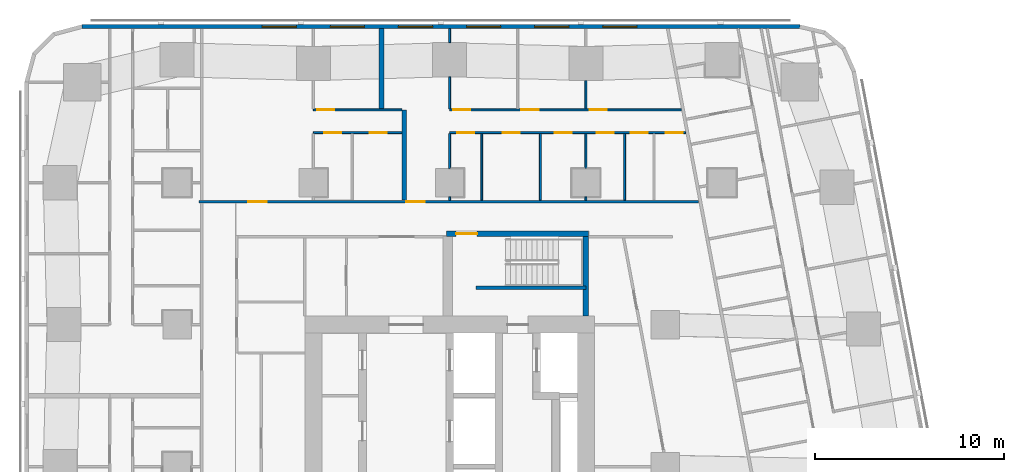
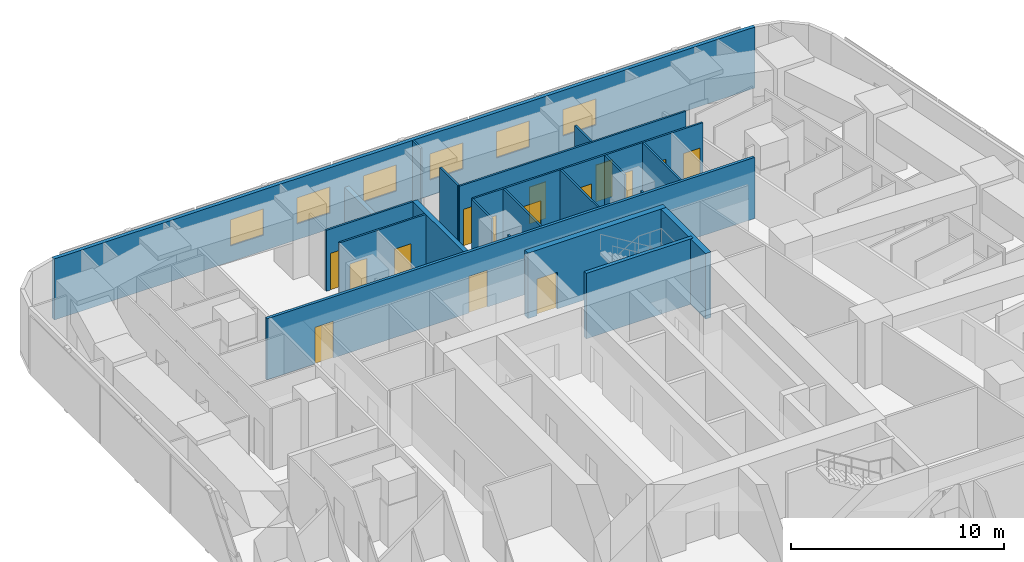
# One storey, part 10 of 15: 21 walls, 15 doors, 6 windows, 21 openings.
"""IFC4 building model written with IfcOpenShell, lengths in metres."""

import ifcopenshell
import ifcopenshell.guid

model = None  # the IFC model being written
_history = None  # IfcOwnerHistory: only IFC2X3 demands one
_inside = {}  # id of a spatial element -> (the spatial element, [elements in it])
_under = {}  # id of a project, library or spatial element -> (it, [spatial elements below it])
_declared = {}  # id of a project -> (the project, [libraries it declares])
_typed = {}  # id of a type object -> (the type object, [elements of that type])
_made_of = {}  # id of a material, layer set ... -> (it, [elements and type objects made of it])


def new_model(schema):
    """Start an empty IFC model of exactly this schema.

    Asked for "IFC4X3", IfcOpenShell would pick the latest addendum, in which some entities
    have other attributes; the version numbers below select the first issue.
    IFC2X3 requires an IfcOwnerHistory on every rooted entity: one is made here for all.
    """
    global model, _history
    if schema == "IFC4X3":
        model = ifcopenshell.file(schema_version=(4, 3, 0, 0))
    else:
        model = ifcopenshell.file(schema=schema)
    _inside.clear()
    _under.clear()
    _declared.clear()
    _typed.clear()
    _made_of.clear()
    _history = None
    if model.schema == "IFC2X3":
        org = make("IfcOrganization", Name="unknown")
        user = make(
            "IfcPersonAndOrganization",
            ThePerson=make("IfcPerson", FamilyName="unknown"),
            TheOrganization=org,
        )
        app = make(
            "IfcApplication",
            ApplicationDeveloper=org,
            Version="unknown",
            ApplicationFullName="unknown",
            ApplicationIdentifier="unknown",
        )
        _history = make(
            "IfcOwnerHistory",
            OwningUser=user,
            OwningApplication=app,
            ChangeAction="ADDED",
            CreationDate=0,
        )
    return model


def make(cls, **values):
    """One entity of the class cls with the attributes given. An attribute that is None is left unset."""
    return model.create_entity(
        cls, **{name: value for name, value in values.items() if value is not None}
    )


def rooted(cls, **values):
    """An entity with a GlobalId (a new one), such as an element, a storey or a relation."""
    return make(cls, GlobalId=ifcopenshell.guid.new(), OwnerHistory=_history, **values)


def si_unit(unit_type, name, prefix=None):
    """IfcSIUnit, for example si_unit("LENGTHUNIT", "METRE", prefix="MILLI")."""
    return make("IfcSIUnit", UnitType=unit_type, Prefix=prefix, Name=name)


def assignment(units):
    """IfcUnitAssignment: the units of a project."""
    return None if units is None else make("IfcUnitAssignment", Units=units)


def point(xyz):
    """IfcCartesianPoint."""
    return None if xyz is None else make("IfcCartesianPoint", Coordinates=xyz)


def direction(xyz):
    """IfcDirection."""
    return None if xyz is None else make("IfcDirection", DirectionRatios=xyz)


def frame(location, z_axis=None, x_axis=None):
    """IfcAxis2Placement3D, a coordinate frame: its origin and axes. An axis left out is left unset."""
    return make(
        "IfcAxis2Placement3D",
        Location=point(location),
        Axis=direction(z_axis),
        RefDirection=direction(x_axis),
    )


def frame_2d(location, x_axis=None):
    """IfcAxis2Placement2D, a coordinate frame in the plane: its origin and x axis."""
    return make(
        "IfcAxis2Placement2D", Location=point(location), RefDirection=direction(x_axis)
    )


def origin():
    """The frame at (0, 0, 0) with its axes left unset."""
    return frame((0.0, 0.0, 0.0))


def place(relative_to, where):
    """IfcLocalPlacement: puts the frame where relative to a parent placement (None: the world)."""
    return make(
        "IfcLocalPlacement", PlacementRelTo=relative_to, RelativePlacement=where
    )


def context(
    kind, dimensions, precision=None, world=None, true_north=None, identifier=None
):
    """IfcGeometricRepresentationContext, for example the 3D "Model" context."""
    return make(
        "IfcGeometricRepresentationContext",
        ContextIdentifier=identifier,
        ContextType=kind,
        CoordinateSpaceDimension=dimensions,
        Precision=precision,
        WorldCoordinateSystem=world,
        TrueNorth=true_north,
    )


def subcontext(parent, identifier, kind, view, scale=None):
    """IfcGeometricRepresentationSubContext, for example "Body" below "Model"."""
    return make(
        "IfcGeometricRepresentationSubContext",
        ContextIdentifier=identifier,
        ContextType=kind,
        ParentContext=parent,
        TargetScale=scale,
        TargetView=view,
    )


def project(units=None, contexts=None):
    """IfcProject with its units and contexts."""
    return rooted(
        "IfcProject",
        Name="project",
        RepresentationContexts=contexts,
        UnitsInContext=assignment(units),
    )


def spatial(cls, under=None, at=None, **own):
    """A site, building, storey or space (cls), placed at a placement, below another one or the project."""
    s = rooted(cls, ObjectPlacement=at, **own)
    if under is not None:
        _under.setdefault(under.id(), (under, []))[1].append(s)
    return s


def profile(cls, at=None, kind="AREA", **sizes):
    """A parametric profile (cls). Its sizes go by their IFC names, for example OverallWidth=200.0."""
    return make(cls, ProfileType=kind, Position=at, **sizes)


def rectangle(**sizes):
    """IfcRectangleProfileDef."""
    return profile("IfcRectangleProfileDef", **sizes)


def extrude(swept, where, along, depth):
    """IfcExtrudedAreaSolid: the profile swept, set in the frame where, extruded along a direction by depth."""
    return make(
        "IfcExtrudedAreaSolid",
        SweptArea=swept,
        Position=where,
        ExtrudedDirection=direction(along),
        Depth=depth,
    )


def shape(context_of_items, identifier, shape_type, items):
    """IfcShapeRepresentation: the items that make up one representation, for example the "Body"."""
    return make(
        "IfcShapeRepresentation",
        ContextOfItems=context_of_items,
        RepresentationIdentifier=identifier,
        RepresentationType=shape_type,
        Items=items,
    )


def material(Name=None, Category=None):
    """IfcMaterial."""
    return make("IfcMaterial", Name=Name, Category=Category)


def layer(
    of_material, thickness, ventilated=None, Name=None, Category=None, Priority=None
):
    """IfcMaterialLayer: one layer of a wall or slab, of a material (None: an air gap)."""
    return make(
        "IfcMaterialLayer",
        Material=of_material,
        LayerThickness=thickness,
        IsVentilated=ventilated,
        Name=Name,
        Category=Category,
        Priority=Priority,
    )


def layer_set(layers, Name=None):
    """IfcMaterialLayerSet."""
    return make("IfcMaterialLayerSet", MaterialLayers=layers, LayerSetName=Name)


def made_of(thing, what):
    """Note that an element or type object is made of a material, layer set ...; save() writes the relation."""
    if what is not None:
        _made_of.setdefault(what.id(), (what, []))[1].append(thing)
    return thing


def type_object(cls, material=None, **own):
    """A type object (cls), such as IfcWallType, which elements share."""
    return made_of(rooted(cls, **own), material)


def element(
    cls,
    number,
    at=None,
    inside=None,
    cuts=None,
    type_object=None,
    material=None,
    context=None,
    identifier="Body",
    shape_type=None,
    held_by="IfcProductDefinitionShape",
    body=None,
    shapes=None,
    **own,
):
    """One element of the class cls, such as IfcWall. Its Tag is "e" and its number.

    at: its placement. inside: the storey or other place that contains it. cuts: it is an
    opening in that element (IfcRelVoidsElement). A single representation is given by context,
    identifier, shape_type and body (its items); several are given by shapes. held_by: the class
    of the entity that holds the representations. save() writes the other relations.
    """
    e = rooted(cls, Tag="e%d" % number, ObjectPlacement=at, **own)
    if body is not None:
        shapes = [shape(context, identifier, shape_type, body)]
    if shapes is not None:
        e.Representation = make(held_by, Representations=shapes)
    if inside is not None:
        _inside.setdefault(inside.id(), (inside, []))[1].append(e)
    if cuts is not None:
        rooted(
            "IfcRelVoidsElement", RelatingBuildingElement=cuts, RelatedOpeningElement=e
        )
    if type_object is not None:
        _typed.setdefault(type_object.id(), (type_object, []))[1].append(e)
    return made_of(e, material)


def fill(opening, filler):
    """IfcRelFillsElement: the door or window that sits in an opening."""
    return rooted(
        "IfcRelFillsElement",
        RelatingOpeningElement=opening,
        RelatedBuildingElement=filler,
    )


def aggregate(whole, parts):
    """IfcRelAggregates: a whole, such as a stair, and the parts it consists of."""
    return rooted("IfcRelAggregates", RelatingObject=whole, RelatedObjects=parts)


def save(model, path):
    """Write the relations noted so far, then the file.

    IfcRelAggregates (storeys below a building ...), IfcRelContainedInSpatialStructure (elements
    in a storey), IfcRelDefinesByType, IfcRelAssociatesMaterial and IfcRelDeclares: one each for
    every whole, place, type object, material and project.
    """
    for whole, parts in _under.values():
        aggregate(whole, parts)
    for where, things in _inside.values():
        rooted(
            "IfcRelContainedInSpatialStructure",
            RelatedElements=things,
            RelatingStructure=where,
        )
    for kind, things in _typed.values():
        rooted("IfcRelDefinesByType", RelatedObjects=things, RelatingType=kind)
    for what, things in _made_of.values():
        rooted("IfcRelAssociatesMaterial", RelatedObjects=things, RelatingMaterial=what)
    for by, libraries in _declared.values():
        rooted("IfcRelDeclares", RelatingContext=by, RelatedDefinitions=libraries)
    model.write(path)


model = new_model("IFC4")

# Units and contexts
model_context = context("Model", 3, precision=1e-05, world=origin(), true_north=direction((0.0, 1.0)))
body_context = subcontext(model_context, "Body", "Model", "MODEL_VIEW")
ifc_project = project(units=[si_unit("LENGTHUNIT", "METRE"), si_unit("AREAUNIT", "SQUARE_METRE"), si_unit("VOLUMEUNIT", "CUBIC_METRE"), si_unit("PLANEANGLEUNIT", "RADIAN"), si_unit("MASSUNIT", "GRAM", prefix="KILO")], contexts=[model_context])

# Site, building, storey
site_placement = place(None, origin())
site = spatial("IfcSite", under=ifc_project, at=site_placement, CompositionType="ELEMENT")
building_placement = place(site_placement, origin())
building = spatial("IfcBuilding", under=site, at=building_placement, Name="Sheger Commons Tower", CompositionType="ELEMENT")
storey_placement = place(building_placement, frame((0.0, 0.0, 158.300048828125)))
storey = spatial("IfcBuildingStorey", under=building, at=storey_placement, Name="L40", CompositionType="ELEMENT", Elevation=158.300048828125)

# Wall, openings, doors
ifc_material_1 = material(Name="Hollow concrete block masonry, skimmed both sides", Category="masonry")
ifc_layer_1 = layer(ifc_material_1, 0.14990234375)
ifc_layer_set_1 = layer_set([ifc_layer_1], Name="CORRIDOR WALL 150")
wall_type_1 = type_object("IfcWallType", Name="CORRIDOR WALL 150", PredefinedType="SOLIDWALL", material=ifc_layer_set_1)
wall_1_placement = place(storey_placement, frame((8.35009765625, 36.5, 0.0), z_axis=(0.0, 0.0, 1.0), x_axis=(1.0, 0.0, 0.0)))
wall_1 = element("IfcWall", 1, at=wall_1_placement, inside=storey, type_object=wall_type_1, Name="Corridor wall L40", PredefinedType="SOLIDWALL", context=body_context, shape_type="SweptSolid", body=[
    extrude(rectangle(XDim=26.414794921875, YDim=0.14990234375, at=frame_2d((13.20751953125, 0.0))), origin(), (0.0, 0.0, 1.0), 3.5),
])
opening_1_placement = place(wall_1_placement, frame((2.60009765625, 0.0, 0.0)))
opening_1 = element("IfcOpeningElement", 2, at=opening_1_placement, cuts=wall_1, Name="Opening D1", PredefinedType="OPENING", context=body_context, shape_type="SweptSolid", body=[
    extrude(rectangle(XDim=1.0, YDim=2.10009765625, at=frame_2d((0.5, 1.050048828125))), frame((0.0, 0.0849609375, 0.0), z_axis=(0.0, -1.0, 0.0), x_axis=(1.0, 0.0, 0.0)), (0.0, 0.0, 1.0), 0.169921875),
])
opening_2_placement = place(wall_1_placement, frame((10.948974609375, 0.0, 0.0)))
opening_2 = element("IfcOpeningElement", 3, at=opening_2_placement, cuts=wall_1, Name="Opening D1", PredefinedType="OPENING", context=body_context, shape_type="SweptSolid", body=[
    extrude(rectangle(XDim=1.0, YDim=2.10009765625, at=frame_2d((0.5, 1.050048828125))), frame((0.0, 0.0849609375, 0.0), z_axis=(0.0, -1.0, 0.0), x_axis=(1.0, 0.0, 0.0)), (0.0, 0.0, 1.0), 0.169921875),
])
ifc_material_2 = material(Name="Steel door set, fire rated", Category="steel")
door_type_1 = type_object("IfcDoorType", Name="FLAT ENTRANCE DOOR 1000x2100", OperationType="NOTDEFINED", PredefinedType="DOOR", material=ifc_material_2)
door_1_placement = place(opening_1_placement, origin())
door_1 = element("IfcDoor", 4, at=door_1_placement, inside=storey, type_object=door_type_1, Name="Flat entrance door", OperationType="SINGLE_SWING_LEFT", OverallHeight=2.10009765625, OverallWidth=1.0, PredefinedType="DOOR", context=body_context, shape_type="SweptSolid", body=[
    extrude(rectangle(XDim=1.0, YDim=2.10009765625, at=frame_2d((0.5, 1.050048828125))), frame((0.0, 0.02490234375, 0.0), z_axis=(0.0, -1.0, 0.0), x_axis=(1.0, 0.0, 0.0)), (0.0, 0.0, 1.0), 0.050048828125),
])
fill(opening_1, door_1)
door_2_placement = place(opening_2_placement, origin())
door_2 = element("IfcDoor", 5, at=door_2_placement, inside=storey, type_object=door_type_1, Name="Flat entrance door", OperationType="SINGLE_SWING_LEFT", OverallHeight=2.10009765625, OverallWidth=1.0, PredefinedType="DOOR", context=body_context, shape_type="SweptSolid", body=[
    extrude(rectangle(XDim=1.0, YDim=2.10009765625, at=frame_2d((0.5, 1.050048828125))), frame((0.0, 0.02490234375, 0.0), z_axis=(0.0, -1.0, 0.0), x_axis=(1.0, 0.0, 0.0)), (0.0, 0.0, 1.0), 0.050048828125),
])
fill(opening_2, door_2)

# Walls
ifc_material_3 = material(Name="Dense concrete block masonry, plastered both sides (separating wall between flats)", Category="masonry")
ifc_layer_2 = layer(ifc_material_3, 0.25)
ifc_layer_set_2 = layer_set([ifc_layer_2], Name="DEMISING WALL 250")
wall_type_2 = type_object("IfcWallType", Name="DEMISING WALL 250", PredefinedType="SOLIDWALL", material=ifc_layer_set_2)
wall_2_placement = place(storey_placement, frame((18.0, 41.39990234375, 0.0), z_axis=(0.0, 0.0, 1.0), x_axis=(0.0, 1.0, 0.0)))
element("IfcWall", 6, at=wall_2_placement, inside=storey, type_object=wall_type_2, Name="Demising wall L40", PredefinedType="SOLIDWALL", context=body_context, shape_type="SweptSolid", body=[
    extrude(rectangle(XDim=4.25, YDim=0.25, at=frame_2d((2.125, 0.0))), origin(), (0.0, 0.0, 1.0), 2.099853515625),
])
wall_3_placement = place(storey_placement, frame((19.198974609375, 36.574951171875, 0.0), z_axis=(0.0, 0.0, 1.0), x_axis=(0.0, 1.0, 0.0)))
element("IfcWall", 7, at=wall_3_placement, inside=storey, type_object=wall_type_2, Name="Demising wall L40", PredefinedType="SOLIDWALL", context=body_context, shape_type="SweptSolid", body=[
    extrude(rectangle(XDim=4.775146484375, YDim=0.25, at=frame_2d((2.3876953125, 0.0))), origin(), (0.0, 0.0, 1.0), 3.5),
])

# Wall, openings, windows
ifc_material_4 = material(Name="Rendered concrete block masonry, dark grey", Category="masonry")
ifc_layer_3 = layer(ifc_material_4, 0.199951171875)
ifc_layer_set_3 = layer_set([ifc_layer_3], Name="FACADE WALL 200")
wall_type_3 = type_object("IfcWallType", Name="FACADE WALL 200", PredefinedType="SOLIDWALL", material=ifc_layer_set_3)
wall_4_placement = place(storey_placement, frame((40.10595703125, 45.75, 0.0), z_axis=(0.0, 0.0, 1.0), x_axis=(-1.0, 0.0, 0.0)))
wall_4 = element("IfcWall", 8, at=wall_4_placement, inside=storey, type_object=wall_type_3, Name="Facade wall L40", PredefinedType="SOLIDWALL", context=body_context, shape_type="SweptSolid", body=[
    extrude(rectangle(XDim=37.94287109375, YDim=0.199951171875, at=frame_2d((18.971435546875, 0.0))), origin(), (0.0, 0.0, 1.0), 3.5),
])
opening_3_placement = place(wall_4_placement, frame((8.60595703125, 0.0, 0.89990234375)))
opening_3 = element("IfcOpeningElement", 9, at=opening_3_placement, cuts=wall_4, Name="Opening W2", PredefinedType="OPENING", context=body_context, shape_type="SweptSolid", body=[
    extrude(rectangle(XDim=1.800048828125, YDim=1.5, at=frame_2d((0.89990234375, 0.75))), frame((0.0, 0.10986328125, 0.0), z_axis=(0.0, -1.0, 0.0), x_axis=(1.0, 0.0, 0.0)), (0.0, 0.0, 1.0), 0.219970703125),
])
opening_4_placement = place(wall_4_placement, frame((12.2060546875, 0.0, 0.89990234375)))
opening_4 = element("IfcOpeningElement", 10, at=opening_4_placement, cuts=wall_4, Name="Opening W2", PredefinedType="OPENING", context=body_context, shape_type="SweptSolid", body=[
    extrude(rectangle(XDim=1.800048828125, YDim=1.5, at=frame_2d((0.89990234375, 0.75))), frame((0.0, 0.10986328125, 0.0), z_axis=(0.0, -1.0, 0.0), x_axis=(1.0, 0.0, 0.0)), (0.0, 0.0, 1.0), 0.219970703125),
])
opening_5_placement = place(wall_4_placement, frame((15.805908203125, 0.0, 0.89990234375)))
opening_5 = element("IfcOpeningElement", 11, at=opening_5_placement, cuts=wall_4, Name="Opening W2", PredefinedType="OPENING", context=body_context, shape_type="SweptSolid", body=[
    extrude(rectangle(XDim=1.800048828125, YDim=1.5, at=frame_2d((0.89990234375, 0.75))), frame((0.0, 0.10986328125, 0.0), z_axis=(0.0, -1.0, 0.0), x_axis=(1.0, 0.0, 0.0)), (0.0, 0.0, 1.0), 0.219970703125),
])
opening_6_placement = place(wall_4_placement, frame((19.406005859375, 0.0, 0.89990234375)))
opening_6 = element("IfcOpeningElement", 12, at=opening_6_placement, cuts=wall_4, Name="Opening W2", PredefinedType="OPENING", context=body_context, shape_type="SweptSolid", body=[
    extrude(rectangle(XDim=1.800048828125, YDim=1.5, at=frame_2d((0.89990234375, 0.75))), frame((0.0, 0.10986328125, 0.0), z_axis=(0.0, -1.0, 0.0), x_axis=(1.0, 0.0, 0.0)), (0.0, 0.0, 1.0), 0.219970703125),
])
opening_7_placement = place(wall_4_placement, frame((23.006103515625, 0.0, 0.89990234375)))
opening_7 = element("IfcOpeningElement", 13, at=opening_7_placement, cuts=wall_4, Name="Opening W2", PredefinedType="OPENING", context=body_context, shape_type="SweptSolid", body=[
    extrude(rectangle(XDim=1.800048828125, YDim=1.5, at=frame_2d((0.89990234375, 0.75))), frame((0.0, 0.10986328125, 0.0), z_axis=(0.0, -1.0, 0.0), x_axis=(1.0, 0.0, 0.0)), (0.0, 0.0, 1.0), 0.219970703125),
])
opening_8_placement = place(wall_4_placement, frame((26.60595703125, 0.0, 0.89990234375)))
opening_8 = element("IfcOpeningElement", 14, at=opening_8_placement, cuts=wall_4, Name="Opening W2", PredefinedType="OPENING", context=body_context, shape_type="SweptSolid", body=[
    extrude(rectangle(XDim=1.800048828125, YDim=1.5, at=frame_2d((0.89990234375, 0.75))), frame((0.0, 0.10986328125, 0.0), z_axis=(0.0, -1.0, 0.0), x_axis=(1.0, 0.0, 0.0)), (0.0, 0.0, 1.0), 0.219970703125),
])
ifc_material_5 = material(Name="Black aluminium frame, dark tinted double glazing", Category="aluminium")
window_type = type_object("IfcWindowType", Name="WINDOW W2 1800x1500", PartitioningType="SINGLE_PANEL", PredefinedType="WINDOW", material=ifc_material_5)
window_1_placement = place(opening_3_placement, origin())
window_1 = element("IfcWindow", 15, at=window_1_placement, inside=storey, type_object=window_type, Name="Window W2 1800X1500", OverallHeight=1.5, OverallWidth=1.800048828125, PartitioningType="SINGLE_PANEL", PredefinedType="WINDOW", context=body_context, shape_type="SweptSolid", body=[
    extrude(rectangle(XDim=1.800048828125, YDim=1.5, at=frame_2d((0.89990234375, 0.75))), frame((0.0, 0.030029296875, 0.0), z_axis=(0.0, -1.0, 0.0), x_axis=(1.0, 0.0, 0.0)), (0.0, 0.0, 1.0), 0.06005859375),
])
fill(opening_3, window_1)
window_2_placement = place(opening_4_placement, origin())
window_2 = element("IfcWindow", 16, at=window_2_placement, inside=storey, type_object=window_type, Name="Window W2 1800X1500", OverallHeight=1.5, OverallWidth=1.800048828125, PartitioningType="SINGLE_PANEL", PredefinedType="WINDOW", context=body_context, shape_type="SweptSolid", body=[
    extrude(rectangle(XDim=1.800048828125, YDim=1.5, at=frame_2d((0.89990234375, 0.75))), frame((0.0, 0.030029296875, 0.0), z_axis=(0.0, -1.0, 0.0), x_axis=(1.0, 0.0, 0.0)), (0.0, 0.0, 1.0), 0.06005859375),
])
fill(opening_4, window_2)
window_3_placement = place(opening_5_placement, origin())
window_3 = element("IfcWindow", 17, at=window_3_placement, inside=storey, type_object=window_type, Name="Window W2 1800X1500", OverallHeight=1.5, OverallWidth=1.800048828125, PartitioningType="SINGLE_PANEL", PredefinedType="WINDOW", context=body_context, shape_type="SweptSolid", body=[
    extrude(rectangle(XDim=1.800048828125, YDim=1.5, at=frame_2d((0.89990234375, 0.75))), frame((0.0, 0.030029296875, 0.0), z_axis=(0.0, -1.0, 0.0), x_axis=(1.0, 0.0, 0.0)), (0.0, 0.0, 1.0), 0.06005859375),
])
fill(opening_5, window_3)
window_4_placement = place(opening_6_placement, origin())
window_4 = element("IfcWindow", 18, at=window_4_placement, inside=storey, type_object=window_type, Name="Window W2 1800X1500", OverallHeight=1.5, OverallWidth=1.800048828125, PartitioningType="SINGLE_PANEL", PredefinedType="WINDOW", context=body_context, shape_type="SweptSolid", body=[
    extrude(rectangle(XDim=1.800048828125, YDim=1.5, at=frame_2d((0.89990234375, 0.75))), frame((0.0, 0.030029296875, 0.0), z_axis=(0.0, -1.0, 0.0), x_axis=(1.0, 0.0, 0.0)), (0.0, 0.0, 1.0), 0.06005859375),
])
fill(opening_6, window_4)
window_5_placement = place(opening_7_placement, origin())
window_5 = element("IfcWindow", 19, at=window_5_placement, inside=storey, type_object=window_type, Name="Window W2 1800X1500", OverallHeight=1.5, OverallWidth=1.800048828125, PartitioningType="SINGLE_PANEL", PredefinedType="WINDOW", context=body_context, shape_type="SweptSolid", body=[
    extrude(rectangle(XDim=1.800048828125, YDim=1.5, at=frame_2d((0.89990234375, 0.75))), frame((0.0, 0.030029296875, 0.0), z_axis=(0.0, -1.0, 0.0), x_axis=(1.0, 0.0, 0.0)), (0.0, 0.0, 1.0), 0.06005859375),
])
fill(opening_7, window_5)
window_6_placement = place(opening_8_placement, origin())
window_6 = element("IfcWindow", 20, at=window_6_placement, inside=storey, type_object=window_type, Name="Window W2 1800X1500", OverallHeight=1.5, OverallWidth=1.800048828125, PartitioningType="SINGLE_PANEL", PredefinedType="WINDOW", context=body_context, shape_type="SweptSolid", body=[
    extrude(rectangle(XDim=1.800048828125, YDim=1.5, at=frame_2d((0.89990234375, 0.75))), frame((0.0, 0.030029296875, 0.0), z_axis=(0.0, -1.0, 0.0), x_axis=(1.0, 0.0, 0.0)), (0.0, 0.0, 1.0), 0.06005859375),
])
fill(opening_8, window_6)

# Wall, opening, door
ifc_material_6 = material(Name="Gypsum board on steel studs", Category="steel")
ifc_layer_4 = layer(ifc_material_6, 0.10009765625)
ifc_layer_set_4 = layer_set([ifc_layer_4], Name="PARTITION 100")
wall_type_4 = type_object("IfcWallType", Name="PARTITION 100", PredefinedType="PARTITIONING", material=ifc_layer_set_4)
wall_5_placement = place(storey_placement, frame((14.39990234375, 41.35009765625, 0.0), z_axis=(0.0, 0.0, 1.0), x_axis=(1.0, 0.0, 0.0)))
wall_5 = element("IfcWall", 21, at=wall_5_placement, inside=storey, type_object=wall_type_4, Name="Partition L40", PredefinedType="PARTITIONING", context=body_context, shape_type="SweptSolid", body=[
    extrude(rectangle(XDim=4.674072265625, YDim=0.10009765625, at=frame_2d((2.3369140625, 0.0))), origin(), (0.0, 0.0, 1.0), 3.5),
])
opening_9_placement = place(wall_5_placement, frame((0.199951171875, 0.0, 0.0)))
opening_9 = element("IfcOpeningElement", 22, at=opening_9_placement, cuts=wall_5, Name="Opening D2", PredefinedType="OPENING", context=body_context, shape_type="SweptSolid", body=[
    extrude(rectangle(XDim=0.89990234375, YDim=2.10009765625, at=frame_2d((0.449951171875, 1.050048828125))), frame((0.0, 0.06005859375, 0.0), z_axis=(0.0, -1.0, 0.0), x_axis=(1.0, 0.0, 0.0)), (0.0, 0.0, 1.0), 0.1201171875),
])
ifc_material_7 = material(Name="Timber door set", Category="wood")
door_type_2 = type_object("IfcDoorType", Name="INTERNAL DOOR 900x2100", OperationType="NOTDEFINED", PredefinedType="DOOR", material=ifc_material_7)
door_3_placement = place(opening_9_placement, origin())
door_3 = element("IfcDoor", 23, at=door_3_placement, inside=storey, type_object=door_type_2, Name="Main bedroom door", OperationType="SINGLE_SWING_LEFT", OverallHeight=2.10009765625, OverallWidth=0.89990234375, PredefinedType="DOOR", context=body_context, shape_type="SweptSolid", body=[
    extrude(rectangle(XDim=0.89990234375, YDim=2.10009765625, at=frame_2d((0.449951171875, 1.050048828125))), frame((0.0, 0.02490234375, 0.0), z_axis=(0.0, -1.0, 0.0), x_axis=(1.0, 0.0, 0.0)), (0.0, 0.0, 1.0), 0.050048828125),
])
fill(opening_9, door_3)

# Wall, openings, doors
wall_6_placement = place(storey_placement, frame((14.39990234375, 40.14990234375, 0.0), z_axis=(0.0, 0.0, 1.0), x_axis=(1.0, 0.0, 0.0)))
wall_6 = element("IfcWall", 24, at=wall_6_placement, inside=storey, type_object=wall_type_4, Name="Partition L40", PredefinedType="PARTITIONING", context=body_context, shape_type="SweptSolid", body=[
    extrude(rectangle(XDim=4.674072265625, YDim=0.10009765625, at=frame_2d((2.3369140625, 0.0))), origin(), (0.0, 0.0, 1.0), 3.5),
])
opening_10_placement = place(wall_6_placement, frame((0.574951171875, 0.0, 0.0)))
opening_10 = element("IfcOpeningElement", 25, at=opening_10_placement, cuts=wall_6, Name="Opening D2", PredefinedType="OPENING", context=body_context, shape_type="SweptSolid", body=[
    extrude(rectangle(XDim=0.89990234375, YDim=2.10009765625, at=frame_2d((0.449951171875, 1.050048828125))), frame((0.0, 0.06005859375, 0.0), z_axis=(0.0, -1.0, 0.0), x_axis=(1.0, 0.0, 0.0)), (0.0, 0.0, 1.0), 0.1201171875),
])
opening_11_placement = place(wall_6_placement, frame((2.97509765625, 0.0, 0.0)))
opening_11 = element("IfcOpeningElement", 26, at=opening_11_placement, cuts=wall_6, Name="Opening D2", PredefinedType="OPENING", context=body_context, shape_type="SweptSolid", body=[
    extrude(rectangle(XDim=0.89990234375, YDim=2.10009765625, at=frame_2d((0.449951171875, 1.050048828125))), frame((0.0, 0.06005859375, 0.0), z_axis=(0.0, -1.0, 0.0), x_axis=(1.0, 0.0, 0.0)), (0.0, 0.0, 1.0), 0.1201171875),
])
door_4_placement = place(opening_10_placement, origin())
door_4 = element("IfcDoor", 27, at=door_4_placement, inside=storey, type_object=door_type_2, Name="Bathroom door", OperationType="SINGLE_SWING_RIGHT", OverallHeight=2.10009765625, OverallWidth=0.89990234375, PredefinedType="DOOR", context=body_context, shape_type="SweptSolid", body=[
    extrude(rectangle(XDim=0.89990234375, YDim=2.10009765625, at=frame_2d((0.449951171875, 1.050048828125))), frame((0.0, 0.02490234375, 0.0), z_axis=(0.0, -1.0, 0.0), x_axis=(1.0, 0.0, 0.0)), (0.0, 0.0, 1.0), 0.050048828125),
])
fill(opening_10, door_4)
door_5_placement = place(opening_11_placement, origin())
door_5 = element("IfcDoor", 28, at=door_5_placement, inside=storey, type_object=door_type_2, Name="Store door", OperationType="SINGLE_SWING_LEFT", OverallHeight=2.10009765625, OverallWidth=0.89990234375, PredefinedType="DOOR", context=body_context, shape_type="SweptSolid", body=[
    extrude(rectangle(XDim=0.89990234375, YDim=2.10009765625, at=frame_2d((0.449951171875, 1.050048828125))), frame((0.0, 0.02490234375, 0.0), z_axis=(0.0, -1.0, 0.0), x_axis=(1.0, 0.0, 0.0)), (0.0, 0.0, 1.0), 0.050048828125),
])
fill(opening_11, door_5)

wall_7_placement = place(storey_placement, frame((21.60009765625, 41.35009765625, 0.0), z_axis=(0.0, 0.0, 1.0), x_axis=(1.0, 0.0, 0.0)))
wall_7 = element("IfcWall", 29, at=wall_7_placement, inside=storey, type_object=wall_type_4, Name="Partition L40", PredefinedType="PARTITIONING", context=body_context, shape_type="SweptSolid", body=[
    extrude(rectangle(XDim=12.2529296875, YDim=0.10009765625, at=frame_2d((6.12646484375, 0.0))), origin(), (0.0, 0.0, 1.0), 3.5),
])
opening_12_placement = place(wall_7_placement, frame((0.199951171875, 0.0, 0.0)))
opening_12 = element("IfcOpeningElement", 30, at=opening_12_placement, cuts=wall_7, Name="Opening D2", PredefinedType="OPENING", context=body_context, shape_type="SweptSolid", body=[
    extrude(rectangle(XDim=0.89990234375, YDim=2.10009765625, at=frame_2d((0.449951171875, 1.050048828125))), frame((0.0, 0.06005859375, 0.0), z_axis=(0.0, -1.0, 0.0), x_axis=(1.0, 0.0, 0.0)), (0.0, 0.0, 1.0), 0.1201171875),
])
opening_13_placement = place(wall_7_placement, frame((3.800048828125, 0.0, 0.0)))
opening_13 = element("IfcOpeningElement", 31, at=opening_13_placement, cuts=wall_7, Name="Opening D2", PredefinedType="OPENING", context=body_context, shape_type="SweptSolid", body=[
    extrude(rectangle(XDim=0.89990234375, YDim=2.10009765625, at=frame_2d((0.449951171875, 1.050048828125))), frame((0.0, 0.06005859375, 0.0), z_axis=(0.0, -1.0, 0.0), x_axis=(1.0, 0.0, 0.0)), (0.0, 0.0, 1.0), 0.1201171875),
])
opening_14_placement = place(wall_7_placement, frame((7.39990234375, 0.0, 0.0)))
opening_14 = element("IfcOpeningElement", 32, at=opening_14_placement, cuts=wall_7, Name="Opening D2", PredefinedType="OPENING", context=body_context, shape_type="SweptSolid", body=[
    extrude(rectangle(XDim=0.89990234375, YDim=2.10009765625, at=frame_2d((0.449951171875, 1.050048828125))), frame((0.0, 0.06005859375, 0.0), z_axis=(0.0, -1.0, 0.0), x_axis=(1.0, 0.0, 0.0)), (0.0, 0.0, 1.0), 0.1201171875),
])
door_6_placement = place(opening_12_placement, origin())
door_6 = element("IfcDoor", 33, at=door_6_placement, inside=storey, type_object=door_type_2, Name="Main bedroom door", OperationType="SINGLE_SWING_LEFT", OverallHeight=2.10009765625, OverallWidth=0.89990234375, PredefinedType="DOOR", context=body_context, shape_type="SweptSolid", body=[
    extrude(rectangle(XDim=0.89990234375, YDim=2.10009765625, at=frame_2d((0.449951171875, 1.050048828125))), frame((0.0, 0.02490234375, 0.0), z_axis=(0.0, -1.0, 0.0), x_axis=(1.0, 0.0, 0.0)), (0.0, 0.0, 1.0), 0.050048828125),
])
fill(opening_12, door_6)
door_7_placement = place(opening_13_placement, origin())
door_7 = element("IfcDoor", 34, at=door_7_placement, inside=storey, type_object=door_type_2, Name="Bedroom 2 door", OperationType="SINGLE_SWING_LEFT", OverallHeight=2.10009765625, OverallWidth=0.89990234375, PredefinedType="DOOR", context=body_context, shape_type="SweptSolid", body=[
    extrude(rectangle(XDim=0.89990234375, YDim=2.10009765625, at=frame_2d((0.449951171875, 1.050048828125))), frame((0.0, 0.02490234375, 0.0), z_axis=(0.0, -1.0, 0.0), x_axis=(1.0, 0.0, 0.0)), (0.0, 0.0, 1.0), 0.050048828125),
])
fill(opening_13, door_7)
door_8_placement = place(opening_14_placement, origin())
door_8 = element("IfcDoor", 35, at=door_8_placement, inside=storey, type_object=door_type_2, Name="Bedroom 3 door", OperationType="SINGLE_SWING_LEFT", OverallHeight=2.10009765625, OverallWidth=0.89990234375, PredefinedType="DOOR", context=body_context, shape_type="SweptSolid", body=[
    extrude(rectangle(XDim=0.89990234375, YDim=2.10009765625, at=frame_2d((0.449951171875, 1.050048828125))), frame((0.0, 0.02490234375, 0.0), z_axis=(0.0, -1.0, 0.0), x_axis=(1.0, 0.0, 0.0)), (0.0, 0.0, 1.0), 0.050048828125),
])
fill(opening_14, door_8)

wall_8_placement = place(storey_placement, frame((21.60009765625, 40.14990234375, 0.0), z_axis=(0.0, 0.0, 1.0), x_axis=(1.0, 0.0, 0.0)))
wall_8 = element("IfcWall", 36, at=wall_8_placement, inside=storey, type_object=wall_type_4, Name="Partition L40", PredefinedType="PARTITIONING", context=body_context, shape_type="SweptSolid", body=[
    extrude(rectangle(XDim=12.47998046875, YDim=0.10009765625, at=frame_2d((6.239990234375, 0.0))), origin(), (0.0, 0.0, 1.0), 3.5),
])
opening_15_placement = place(wall_8_placement, frame((0.39990234375, 0.0, 0.0)))
opening_15 = element("IfcOpeningElement", 37, at=opening_15_placement, cuts=wall_8, Name="Opening D2", PredefinedType="OPENING", context=body_context, shape_type="SweptSolid", body=[
    extrude(rectangle(XDim=0.89990234375, YDim=2.10009765625, at=frame_2d((0.449951171875, 1.050048828125))), frame((0.0, 0.06005859375, 0.0), z_axis=(0.0, -1.0, 0.0), x_axis=(1.0, 0.0, 0.0)), (0.0, 0.0, 1.0), 0.1201171875),
])
opening_16_placement = place(wall_8_placement, frame((5.549072265625, 0.0, 0.0)))
opening_16 = element("IfcOpeningElement", 38, at=opening_16_placement, cuts=wall_8, Name="Opening D2", PredefinedType="OPENING", context=body_context, shape_type="SweptSolid", body=[
    extrude(rectangle(XDim=0.89990234375, YDim=2.10009765625, at=frame_2d((0.449951171875, 1.050048828125))), frame((0.0, 0.06005859375, 0.0), z_axis=(0.0, -1.0, 0.0), x_axis=(1.0, 0.0, 0.0)), (0.0, 0.0, 1.0), 0.1201171875),
])
opening_17_placement = place(wall_8_placement, frame((7.77490234375, 0.0, 0.0)))
opening_17 = element("IfcOpeningElement", 39, at=opening_17_placement, cuts=wall_8, Name="Opening D2", PredefinedType="OPENING", context=body_context, shape_type="SweptSolid", body=[
    extrude(rectangle(XDim=0.89990234375, YDim=2.10009765625, at=frame_2d((0.449951171875, 1.050048828125))), frame((0.0, 0.06005859375, 0.0), z_axis=(0.0, -1.0, 0.0), x_axis=(1.0, 0.0, 0.0)), (0.0, 0.0, 1.0), 0.1201171875),
])
opening_18_placement = place(wall_8_placement, frame((11.429931640625, 0.0, 0.0)))
opening_18 = element("IfcOpeningElement", 40, at=opening_18_placement, cuts=wall_8, Name="Opening D2", PredefinedType="OPENING", context=body_context, shape_type="SweptSolid", body=[
    extrude(rectangle(XDim=0.89990234375, YDim=2.10009765625, at=frame_2d((0.449951171875, 1.050048828125))), frame((0.0, 0.06005859375, 0.0), z_axis=(0.0, -1.0, 0.0), x_axis=(1.0, 0.0, 0.0)), (0.0, 0.0, 1.0), 0.1201171875),
])
opening_19_placement = place(wall_8_placement, frame((2.799072265625, 0.0, 0.0)))
opening_19 = element("IfcOpeningElement", 41, at=opening_19_placement, cuts=wall_8, Name="Opening D2", PredefinedType="OPENING", context=body_context, shape_type="SweptSolid", body=[
    extrude(rectangle(XDim=0.89990234375, YDim=2.10009765625, at=frame_2d((0.449951171875, 1.050048828125))), frame((0.0, 0.06005859375, 0.0), z_axis=(0.0, -1.0, 0.0), x_axis=(1.0, 0.0, 0.0)), (0.0, 0.0, 1.0), 0.1201171875),
])
opening_20_placement = place(wall_8_placement, frame((9.574951171875, 0.0, 0.0)))
opening_20 = element("IfcOpeningElement", 42, at=opening_20_placement, cuts=wall_8, Name="Opening D2", PredefinedType="OPENING", context=body_context, shape_type="SweptSolid", body=[
    extrude(rectangle(XDim=0.89990234375, YDim=2.10009765625, at=frame_2d((0.449951171875, 1.050048828125))), frame((0.0, 0.06005859375, 0.0), z_axis=(0.0, -1.0, 0.0), x_axis=(1.0, 0.0, 0.0)), (0.0, 0.0, 1.0), 0.1201171875),
])
door_9_placement = place(opening_15_placement, origin())
door_9 = element("IfcDoor", 43, at=door_9_placement, inside=storey, type_object=door_type_2, Name="Laundry room door", OperationType="SINGLE_SWING_RIGHT", OverallHeight=2.10009765625, OverallWidth=0.89990234375, PredefinedType="DOOR", context=body_context, shape_type="SweptSolid", body=[
    extrude(rectangle(XDim=0.89990234375, YDim=2.10009765625, at=frame_2d((0.449951171875, 1.050048828125))), frame((0.0, 0.02490234375, 0.0), z_axis=(0.0, -1.0, 0.0), x_axis=(1.0, 0.0, 0.0)), (0.0, 0.0, 1.0), 0.050048828125),
])
fill(opening_15, door_9)
door_10_placement = place(opening_16_placement, origin())
door_10 = element("IfcDoor", 44, at=door_10_placement, inside=storey, type_object=door_type_2, Name="Laundry room door", OperationType="SINGLE_SWING_LEFT", OverallHeight=2.10009765625, OverallWidth=0.89990234375, PredefinedType="DOOR", context=body_context, shape_type="SweptSolid", body=[
    extrude(rectangle(XDim=0.89990234375, YDim=2.10009765625, at=frame_2d((0.449951171875, 1.050048828125))), frame((0.0, 0.02490234375, 0.0), z_axis=(0.0, -1.0, 0.0), x_axis=(1.0, 0.0, 0.0)), (0.0, 0.0, 1.0), 0.050048828125),
])
fill(opening_16, door_10)
door_11_placement = place(opening_17_placement, origin())
door_11 = element("IfcDoor", 45, at=door_11_placement, inside=storey, type_object=door_type_2, Name="Bathroom door", OperationType="SINGLE_SWING_LEFT", OverallHeight=2.10009765625, OverallWidth=0.89990234375, PredefinedType="DOOR", context=body_context, shape_type="SweptSolid", body=[
    extrude(rectangle(XDim=0.89990234375, YDim=2.10009765625, at=frame_2d((0.449951171875, 1.050048828125))), frame((0.0, 0.02490234375, 0.0), z_axis=(0.0, -1.0, 0.0), x_axis=(1.0, 0.0, 0.0)), (0.0, 0.0, 1.0), 0.050048828125),
])
fill(opening_17, door_11)
door_12_placement = place(opening_18_placement, origin())
door_12 = element("IfcDoor", 46, at=door_12_placement, inside=storey, type_object=door_type_2, Name="Store and laundry door", OperationType="SINGLE_SWING_LEFT", OverallHeight=2.10009765625, OverallWidth=0.89990234375, PredefinedType="DOOR", context=body_context, shape_type="SweptSolid", body=[
    extrude(rectangle(XDim=0.89990234375, YDim=2.10009765625, at=frame_2d((0.449951171875, 1.050048828125))), frame((0.0, 0.02490234375, 0.0), z_axis=(0.0, -1.0, 0.0), x_axis=(1.0, 0.0, 0.0)), (0.0, 0.0, 1.0), 0.050048828125),
])
fill(opening_18, door_12)
door_13_placement = place(opening_19_placement, origin())
door_13 = element("IfcDoor", 47, at=door_13_placement, inside=storey, type_object=door_type_2, Name="Store door", OperationType="SINGLE_SWING_RIGHT", OverallHeight=2.10009765625, OverallWidth=0.89990234375, PredefinedType="DOOR", context=body_context, shape_type="SweptSolid", body=[
    extrude(rectangle(XDim=0.89990234375, YDim=2.10009765625, at=frame_2d((0.449951171875, 1.050048828125))), frame((0.0, 0.02490234375, 0.0), z_axis=(0.0, -1.0, 0.0), x_axis=(1.0, 0.0, 0.0)), (0.0, 0.0, 1.0), 0.050048828125),
])
fill(opening_19, door_13)
door_14_placement = place(opening_20_placement, origin())
door_14 = element("IfcDoor", 48, at=door_14_placement, inside=storey, type_object=door_type_2, Name="Store door", OperationType="SINGLE_SWING_RIGHT", OverallHeight=2.10009765625, OverallWidth=0.89990234375, PredefinedType="DOOR", context=body_context, shape_type="SweptSolid", body=[
    extrude(rectangle(XDim=0.89990234375, YDim=2.10009765625, at=frame_2d((0.449951171875, 1.050048828125))), frame((0.0, 0.02490234375, 0.0), z_axis=(0.0, -1.0, 0.0), x_axis=(1.0, 0.0, 0.0)), (0.0, 0.0, 1.0), 0.050048828125),
])
fill(opening_20, door_14)

# Walls
wall_9_placement = place(storey_placement, frame((21.60009765625, 41.39990234375, 0.0), z_axis=(0.0, 0.0, 1.0), x_axis=(0.0, 1.0, 0.0)))
element("IfcWall", 49, at=wall_9_placement, inside=storey, type_object=wall_type_4, Name="Partition L40", PredefinedType="PARTITIONING", context=body_context, shape_type="SweptSolid", body=[
    extrude(rectangle(XDim=1.69921875, YDim=0.10009765625, at=frame_2d((0.849609375, 0.0))), origin(), (0.0, 0.0, 1.0), 3.5),
])
wall_10_placement = place(storey_placement, frame((21.60009765625, 44.90087890625, 0.0), z_axis=(0.0, 0.0, 1.0), x_axis=(0.0, 1.0, 0.0)))
element("IfcWall", 50, at=wall_10_placement, inside=storey, type_object=wall_type_4, Name="Partition L40", PredefinedType="PARTITIONING", context=body_context, shape_type="SweptSolid", body=[
    extrude(rectangle(XDim=0.7490234375, YDim=0.10009765625, at=frame_2d((0.37451171875, 0.0))), origin(), (0.0, 0.0, 1.0), 3.5),
])
wall_11_placement = place(storey_placement, frame((28.800048828125, 41.39990234375, 0.0), z_axis=(0.0, 0.0, 1.0), x_axis=(0.0, 1.0, 0.0)))
element("IfcWall", 51, at=wall_11_placement, inside=storey, type_object=wall_type_4, Name="Partition L40", PredefinedType="PARTITIONING", context=body_context, shape_type="SweptSolid", body=[
    extrude(rectangle(XDim=1.4990234375, YDim=0.10009765625, at=frame_2d((0.74951171875, 0.0))), origin(), (0.0, 0.0, 1.0), 3.5),
])
wall_12_placement = place(storey_placement, frame((21.60009765625, 36.574951171875, 0.0), z_axis=(0.0, 0.0, 1.0), x_axis=(0.0, 1.0, 0.0)))
element("IfcWall", 52, at=wall_12_placement, inside=storey, type_object=wall_type_4, Name="Partition L40", PredefinedType="PARTITIONING", context=body_context, shape_type="SweptSolid", body=[
    extrude(rectangle(XDim=0.174072265625, YDim=0.10009765625, at=frame_2d((0.0869140625, 0.0))), origin(), (0.0, 0.0, 1.0), 3.5),
])
wall_13_placement = place(storey_placement, frame((21.60009765625, 38.2509765625, 0.0), z_axis=(0.0, 0.0, 1.0), x_axis=(0.0, 1.0, 0.0)))
element("IfcWall", 53, at=wall_13_placement, inside=storey, type_object=wall_type_4, Name="Partition L40", PredefinedType="PARTITIONING", context=body_context, shape_type="SweptSolid", body=[
    extrude(rectangle(XDim=1.84912109375, YDim=0.10009765625, at=frame_2d((0.924560546875, 0.0))), origin(), (0.0, 0.0, 1.0), 3.5),
])
wall_14_placement = place(storey_placement, frame((26.39892578125, 36.574951171875, 0.0), z_axis=(0.0, 0.0, 1.0), x_axis=(0.0, 1.0, 0.0)))
element("IfcWall", 54, at=wall_14_placement, inside=storey, type_object=wall_type_4, Name="Partition L40", PredefinedType="PARTITIONING", context=body_context, shape_type="SweptSolid", body=[
    extrude(rectangle(XDim=3.525146484375, YDim=0.10009765625, at=frame_2d((1.7626953125, 0.0))), origin(), (0.0, 0.0, 1.0), 3.5),
])
wall_15_placement = place(storey_placement, frame((28.800048828125, 36.574951171875, 0.0), z_axis=(0.0, 0.0, 1.0), x_axis=(0.0, 1.0, 0.0)))
element("IfcWall", 55, at=wall_15_placement, inside=storey, type_object=wall_type_4, Name="Partition L40", PredefinedType="PARTITIONING", context=body_context, shape_type="SweptSolid", body=[
    extrude(rectangle(XDim=0.174072265625, YDim=0.10009765625, at=frame_2d((0.0869140625, 0.0))), origin(), (0.0, 0.0, 1.0), 3.5),
])
wall_16_placement = place(storey_placement, frame((28.800048828125, 38.2509765625, 0.0), z_axis=(0.0, 0.0, 1.0), x_axis=(0.0, 1.0, 0.0)))
element("IfcWall", 56, at=wall_16_placement, inside=storey, type_object=wall_type_4, Name="Partition L40", PredefinedType="PARTITIONING", context=body_context, shape_type="SweptSolid", body=[
    extrude(rectangle(XDim=1.84912109375, YDim=0.10009765625, at=frame_2d((0.924560546875, 0.0))), origin(), (0.0, 0.0, 1.0), 3.5),
])
for number, where, z_axis, x_axis, name in (
    (57, (23.300048828125, 36.574951171875, 0.0), (0.0, 0.0, 1.0), (0.0, 1.0, 0.0), "Partition L40"),
    (58, (30.85009765625, 36.574951171875, 0.0), (0.0, 0.0, 1.0), (0.0, 1.0, 0.0), "Partition L40"),
):
    element("IfcWall", number, at=place(storey_placement, frame(where, z_axis=z_axis, x_axis=x_axis)), inside=storey, type_object=wall_type_4, Name=name, PredefinedType="PARTITIONING", context=body_context, shape_type="SweptSolid", body=[
        extrude(rectangle(XDim=3.525146484375, YDim=0.10009765625, at=frame_2d((1.7626953125, 0.0))), origin(), (0.0, 0.0, 1.0), 3.5),
    ])

# Wall, opening, door
ifc_material_8 = material(Name="Concrete C50/60", Category="concrete")
ifc_layer_5 = layer(ifc_material_8, 0.300048828125)
ifc_layer_set_5 = layer_set([ifc_layer_5], Name="STAIR CORE WALL 300")
wall_type_5 = type_object("IfcWallType", Name="STAIR CORE WALL 300", PredefinedType="SHEAR", material=ifc_layer_set_5)
wall_17_placement = place(storey_placement, frame((21.449951171875, 34.800048828125, 0.0), z_axis=(0.0, 0.0, 1.0), x_axis=(1.0, 0.0, 0.0)))
wall_17 = element("IfcWall", 59, at=wall_17_placement, inside=storey, type_object=wall_type_5, Name="STW-L40-S2N", PredefinedType="SHEAR", context=body_context, shape_type="SweptSolid", body=[
    extrude(rectangle(XDim=7.5, YDim=0.300048828125, at=frame_2d((3.75, 0.0))), origin(), (0.0, 0.0, 1.0), 3.75),
])
opening_21_placement = place(wall_17_placement, frame((0.5, 0.0, 0.0)))
opening_21 = element("IfcOpeningElement", 60, at=opening_21_placement, cuts=wall_17, Name="Opening D5", PredefinedType="OPENING", context=body_context, shape_type="SweptSolid", body=[
    extrude(rectangle(XDim=1.10009765625, YDim=2.10009765625, at=frame_2d((0.550048828125, 1.050048828125))), frame((0.0, 0.159912109375, 0.0), z_axis=(0.0, -1.0, 0.0), x_axis=(1.0, 0.0, 0.0)), (0.0, 0.0, 1.0), 0.320068359375),
])
ifc_material_9 = material(Name="Steel door set, fire rated", Category="steel")
door_type_3 = type_object("IfcDoorType", Name="STAIR DOOR 1100x2100", OperationType="NOTDEFINED", PredefinedType="DOOR", material=ifc_material_9)
door_15_placement = place(opening_21_placement, origin())
door_15 = element("IfcDoor", 61, at=door_15_placement, inside=storey, type_object=door_type_3, Name="Stair S2 door", OperationType="SINGLE_SWING_RIGHT", OverallHeight=2.10009765625, OverallWidth=1.10009765625, PredefinedType="DOOR", context=body_context, shape_type="SweptSolid", body=[
    extrude(rectangle(XDim=1.10009765625, YDim=2.10009765625, at=frame_2d((0.550048828125, 1.050048828125))), frame((0.0, 0.02490234375, 0.0), z_axis=(0.0, -1.0, 0.0), x_axis=(1.0, 0.0, 0.0)), (0.0, 0.0, 1.0), 0.050048828125),
])
fill(opening_21, door_15)

# Walls
wall_18_placement = place(storey_placement, frame((28.800048828125, 30.449951171875, 0.0), z_axis=(0.0, 0.0, 1.0), x_axis=(0.0, 1.0, 0.0)))
element("IfcWall", 62, at=wall_18_placement, inside=storey, type_object=wall_type_5, Name="STW-L40-S2E", PredefinedType="SHEAR", context=body_context, shape_type="SweptSolid", body=[
    extrude(rectangle(XDim=4.199951171875, YDim=0.300048828125, at=frame_2d((2.10009765625, 0.0))), origin(), (0.0, 0.0, 1.0), 3.75),
])
ifc_material_10 = material(Name="Concrete C50/60", Category="concrete")
ifc_layer_6 = layer(ifc_material_10, 0.199951171875)
ifc_layer_set_6 = layer_set([ifc_layer_6], Name="STAIR SPINE WALL 200")
wall_type_6 = type_object("IfcWallType", Name="STAIR SPINE WALL 200", PredefinedType="SHEAR", material=ifc_layer_set_6)
wall_19_placement = place(storey_placement, frame((23.0, 31.949951171875, 0.0), z_axis=(0.0, 0.0, 1.0), x_axis=(1.0, 0.0, 0.0)))
element("IfcWall", 63, at=wall_19_placement, inside=storey, type_object=wall_type_6, Name="Stair spine wall L40", PredefinedType="SHEAR", context=body_context, shape_type="SweptSolid", body=[
    extrude(rectangle(XDim=5.800048828125, YDim=0.199951171875, at=frame_2d((2.89990234375, 0.0))), origin(), (0.0, 0.0, 1.0), 3.75),
])

save(model, "model.ifc")
